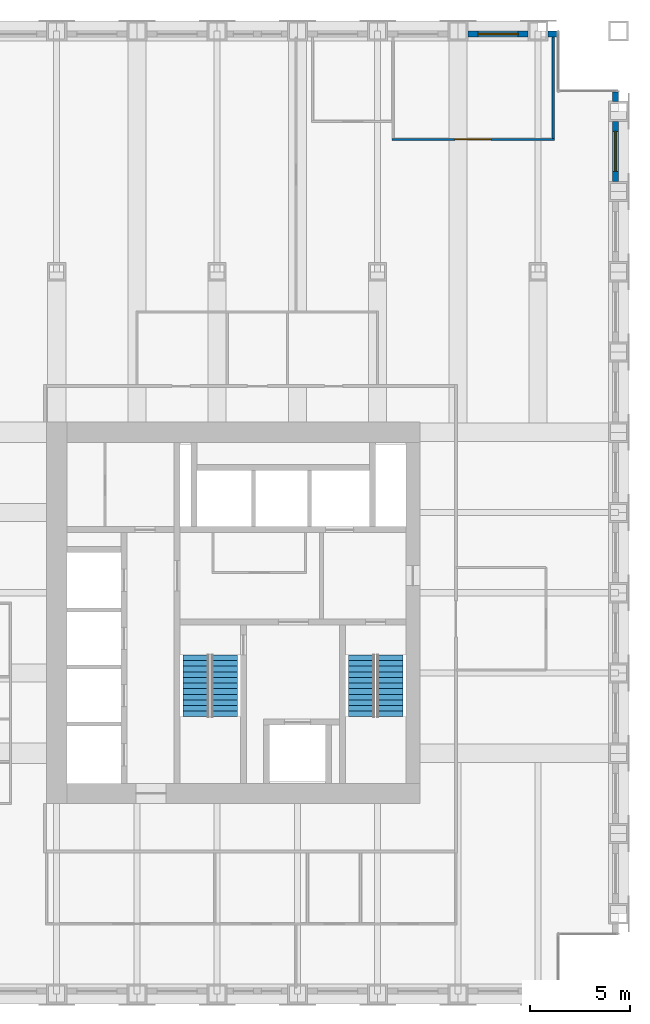
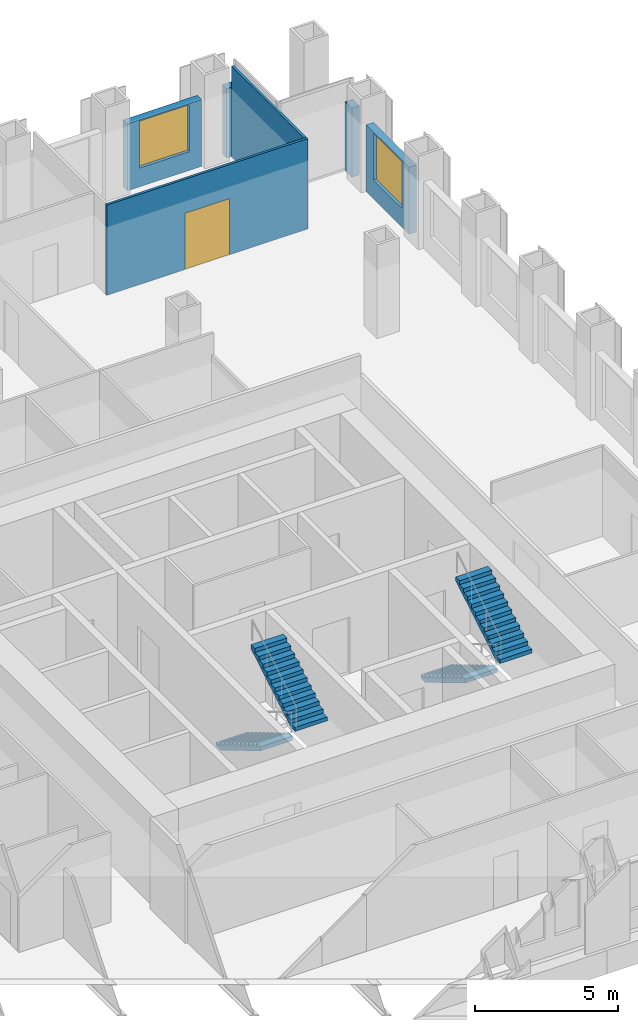
# One storey, part 12 of 13: 6 walls, 4 stair flights, 2 windows, 1 door, 3 openings, 2 elements without a shape of their own.
"""IFC4 building model written with IfcOpenShell, lengths in metres."""

from ifc_helpers import new_model, si_unit, direction, frame, frame_2d, origin, place, context, subcontext, project, spatial, polyline, rectangle, outline, extrude, material, layer, layer_set, type_object, element, fill, aggregate, save


model = new_model("IFC4")

# Units and contexts
model_context = context("Model", 3, precision=1e-05, world=origin(), true_north=direction((0.0, 1.0)))
body_context = subcontext(model_context, "Body", "Model", "MODEL_VIEW")
ifc_project = project(units=[si_unit("LENGTHUNIT", "METRE"), si_unit("AREAUNIT", "SQUARE_METRE"), si_unit("VOLUMEUNIT", "CUBIC_METRE"), si_unit("PLANEANGLEUNIT", "RADIAN"), si_unit("MASSUNIT", "GRAM", prefix="KILO")], contexts=[model_context])

# Site, building, storey
site_placement = place(None, origin())
site = spatial("IfcSite", under=ifc_project, at=site_placement, CompositionType="ELEMENT")
building_placement = place(site_placement, origin())
building = spatial("IfcBuilding", under=site, at=building_placement, Name="Rimbunsela Tower", CompositionType="ELEMENT")
storey_placement = place(building_placement, frame((0.0, 0.0, 191.800048828125)))
storey = spatial("IfcBuildingStorey", under=building, at=storey_placement, Name="L46", CompositionType="ELEMENT", Elevation=191.800048828125)

# Wall, opening, door
ifc_material_1 = material(Name="Gypsum board on steel studs", Category="steel")
ifc_layer_1 = layer(ifc_material_1, 0.10009765625)
ifc_layer_set_1 = layer_set([ifc_layer_1], Name="Office partition 100")
wall_type_1 = type_object("IfcWallType", Name="Office partition 100", PredefinedType="PARTITIONING", material=ifc_layer_set_1)
wall_1_placement = place(storey_placement, frame((34.699951171875, 50.60009765625, 0.0), z_axis=(0.0, 0.0, 1.0), x_axis=(1.0, 0.0, 0.0)))
wall_1 = element("IfcWall", 1, at=wall_1_placement, inside=storey, type_object=wall_type_1, Name="Office partition", PredefinedType="PARTITIONING", context=body_context, shape_type="SweptSolid", body=[
    extrude(rectangle(XDim=8.10009765625, YDim=0.10009765625, at=frame_2d((4.050048828125, 0.0))), origin(), (0.0, 0.0, 1.0), 3.849853515625),
])
opening_1_placement = place(wall_1_placement, frame((3.14990234375, 0.0, 0.0)))
opening_1 = element("IfcOpeningElement", 2, at=opening_1_placement, cuts=wall_1, Name="Opening D18", PredefinedType="OPENING", context=body_context, shape_type="SweptSolid", body=[
    extrude(rectangle(XDim=1.800048828125, YDim=2.39990234375, at=frame_2d((0.89990234375, 1.199951171875))), frame((0.0, 0.06005859375, 0.0), z_axis=(0.0, -1.0, 0.0), x_axis=(1.0, 0.0, 0.0)), (0.0, 0.0, 1.0), 0.1201171875),
])
ifc_material_2 = material(Name="Glazed aluminium door", Category="aluminium")
door_type = type_object("IfcDoorType", Name="Boardroom door 1800 glazed", OperationType="DOUBLE_DOOR_DOUBLE_SWING", PredefinedType="DOOR", material=ifc_material_2)
door_placement = place(opening_1_placement, origin())
door = element("IfcDoor", 3, at=door_placement, inside=storey, type_object=door_type, Name="Boardroom door", OperationType="DOUBLE_DOOR_DOUBLE_SWING", OverallHeight=2.39990234375, OverallWidth=1.800048828125, PredefinedType="DOOR", context=body_context, shape_type="SweptSolid", body=[
    extrude(rectangle(XDim=1.800048828125, YDim=2.39990234375, at=frame_2d((0.89990234375, 1.199951171875))), frame((0.0, 0.02490234375, 0.0), z_axis=(0.0, -1.0, 0.0), x_axis=(1.0, 0.0, 0.0)), (0.0, 0.0, 1.0), 0.050048828125),
])
fill(opening_1, door)

# Wall
wall_2_placement = place(storey_placement, frame((42.75, 50.64990234375, 0.0), z_axis=(0.0, 0.0, 1.0), x_axis=(0.0, 1.0, 0.0)))
element("IfcWall", 4, at=wall_2_placement, inside=storey, type_object=wall_type_1, Name="Office partition", PredefinedType="PARTITIONING", context=body_context, shape_type="SweptSolid", body=[
    extrude(rectangle(XDim=5.050048828125, YDim=0.10009765625, at=frame_2d((2.52490234375, 0.0))), origin(), (0.0, 0.0, 1.0), 3.849853515625),
])

# Wall, opening, window
ifc_material_3 = material(Name="Precast concrete fc' 35 MPa", Category="concrete")
ifc_layer_2 = layer(ifc_material_3, 0.300048828125)
ifc_layer_set_2 = layer_set([ifc_layer_2], Name="Precast concrete fc' 35 MPa")
wall_type_2 = type_object("IfcWallType", Name="Precast facade panel 300", PredefinedType="ELEMENTEDWALL", material=ifc_layer_set_2)
wall_3_placement = place(storey_placement, frame((45.85009765625, 48.5, 0.0), z_axis=(0.0, 0.0, 1.0), x_axis=(0.0, 1.0, 0.0)))
wall_3 = element("IfcWall", 5, at=wall_3_placement, inside=storey, type_object=wall_type_2, Name="Facade panel E L46", PredefinedType="ELEMENTEDWALL", context=body_context, shape_type="SweptSolid", body=[
    extrude(rectangle(XDim=3.0, YDim=0.300048828125, at=frame_2d((1.5, 0.0))), origin(), (0.0, 0.0, 1.0), 2.849853515625),
])
opening_2_placement = place(wall_3_placement, frame((0.5, 0.0, 0.800048828125)))
opening_2 = element("IfcOpeningElement", 6, at=opening_2_placement, cuts=wall_3, Name="Opening W1", PredefinedType="OPENING", context=body_context, shape_type="SweptSolid", body=[
    extrude(rectangle(XDim=2.0, YDim=2.0, at=frame_2d((1.0, 1.0))), frame((0.0, 0.159912109375, 0.0), z_axis=(0.0, -1.0, 0.0), x_axis=(1.0, 0.0, 0.0)), (0.0, 0.0, 1.0), 0.320068359375),
])
ifc_material_4 = material(Name="Clear glass in aluminium frame", Category="aluminium")
window_type = type_object("IfcWindowType", Name="Window W1 2000x2000", PartitioningType="DOUBLE_PANEL_VERTICAL", PredefinedType="WINDOW", material=ifc_material_4)
window_1_placement = place(opening_2_placement, origin())
window_1 = element("IfcWindow", 7, at=window_1_placement, inside=storey, type_object=window_type, Name="Window L46", OverallHeight=2.0, OverallWidth=2.0, PartitioningType="SINGLE_PANEL", PredefinedType="WINDOW", context=body_context, shape_type="SweptSolid", body=[
    extrude(rectangle(XDim=2.0, YDim=2.0, at=frame_2d((1.0, 1.0))), frame((0.0, 0.030029296875, 0.0), z_axis=(0.0, -1.0, 0.0), x_axis=(1.0, 0.0, 0.0)), (0.0, 0.0, 1.0), 0.06005859375),
])
fill(opening_2, window_1)

# Wall
wall_4_placement = place(storey_placement, frame((45.85009765625, 52.5, 0.0), z_axis=(0.0, 0.0, 1.0), x_axis=(0.0, 1.0, 0.0)))
element("IfcWall", 8, at=wall_4_placement, inside=storey, type_object=wall_type_2, Name="Facade panel E L46", PredefinedType="ELEMENTEDWALL", context=body_context, shape_type="SweptSolid", body=[
    extrude(rectangle(XDim=0.469970703125, YDim=0.300048828125, at=frame_2d((0.23486328125, 0.0))), origin(), (0.0, 0.0, 1.0), 2.949951171875),
])

# Wall, opening, window
wall_5_placement = place(storey_placement, frame((41.5, 55.85009765625, 0.0), z_axis=(0.0, 0.0, 1.0), x_axis=(-1.0, 0.0, 0.0)))
wall_5 = element("IfcWall", 9, at=wall_5_placement, inside=storey, type_object=wall_type_2, Name="Facade panel N L46", PredefinedType="ELEMENTEDWALL", context=body_context, shape_type="SweptSolid", body=[
    extrude(rectangle(XDim=3.0, YDim=0.300048828125, at=frame_2d((1.5, 0.0))), origin(), (0.0, 0.0, 1.0), 2.849853515625),
])
opening_3_placement = place(wall_5_placement, frame((0.5, 0.0, 0.800048828125)))
opening_3 = element("IfcOpeningElement", 10, at=opening_3_placement, cuts=wall_5, Name="Opening W1", PredefinedType="OPENING", context=body_context, shape_type="SweptSolid", body=[
    extrude(rectangle(XDim=2.0, YDim=2.0, at=frame_2d((1.0, 1.0))), frame((0.0, 0.159912109375, 0.0), z_axis=(0.0, -1.0, 0.0), x_axis=(1.0, 0.0, 0.0)), (0.0, 0.0, 1.0), 0.320068359375),
])
window_2_placement = place(opening_3_placement, origin())
window_2 = element("IfcWindow", 11, at=window_2_placement, inside=storey, type_object=window_type, Name="Window L46", OverallHeight=2.0, OverallWidth=2.0, PartitioningType="SINGLE_PANEL", PredefinedType="WINDOW", context=body_context, shape_type="SweptSolid", body=[
    extrude(rectangle(XDim=2.0, YDim=2.0, at=frame_2d((1.0, 1.0))), frame((0.0, 0.030029296875, 0.0), z_axis=(0.0, -1.0, 0.0), x_axis=(1.0, 0.0, 0.0)), (0.0, 0.0, 1.0), 0.06005859375),
])
fill(opening_3, window_2)

# Wall
wall_6_placement = place(storey_placement, frame((42.969970703125, 55.85009765625, 0.0), z_axis=(0.0, 0.0, 1.0), x_axis=(-1.0, 0.0, 0.0)))
element("IfcWall", 12, at=wall_6_placement, inside=storey, type_object=wall_type_2, Name="Facade panel N L46", PredefinedType="ELEMENTEDWALL", context=body_context, shape_type="SweptSolid", body=[
    extrude(rectangle(XDim=0.469970703125, YDim=0.300048828125, at=frame_2d((0.23486328125, 0.0))), origin(), (0.0, 0.0, 1.0), 2.949951171875),
])

# Stair, stair flights
ifc_material_5 = material(Name="Concrete fc' 35 MPa", Category="concrete")
stair_type = type_object("IfcStairType", Name="Exit stair 24 risers", PredefinedType="HALF_TURN_STAIR", material=ifc_material_5)
stair_1_placement = place(storey_placement, origin())
stair_1 = element("IfcStair", 13, at=stair_1_placement, inside=storey, type_object=stair_type, Name="Exit stair A L46", PredefinedType="HALF_TURN_STAIR")
ifc_material_6 = material(Name="Concrete fc' 35 MPa", Category="concrete")
stair_flight_type = type_object("IfcStairFlightType", Name="Stair flight 12 risers 167", PredefinedType="STRAIGHT", material=ifc_material_6)
stair_flight_1_placement = place(storey_placement, frame((24.949951171875, 24.89990234375, 0.0), z_axis=(0.0, 0.0, 1.0), x_axis=(0.0, -1.0, 0.0)))
stair_flight_1 = element("IfcStairFlight", 14, at=stair_flight_1_placement, type_object=stair_flight_type, Name="ST-A flight 1", NumberOfRisers=12, NumberOfTreads=11, PredefinedType="STRAIGHT", RiserHeight=0.166666667, TreadLength=0.28, context=body_context, shape_type="SweptSolid", body=[
    extrude(outline(polyline([(0.0, 0.0), (0.0, 0.166748046875), (0.280029296875, 0.166748046875), (0.280029296875, 0.333251953125), (0.56005859375, 0.333251953125), (0.56005859375, 0.5), (0.840087890625, 0.5), (0.840087890625, 0.666748046875), (1.1201171875, 0.666748046875), (1.1201171875, 0.833251953125), (1.39990234375, 0.833251953125), (1.39990234375, 1.0), (1.679931640625, 1.0), (1.679931640625, 1.166748046875), (1.9599609375, 1.166748046875), (1.9599609375, 1.333251953125), (2.239990234375, 1.333251953125), (2.239990234375, 1.5), (2.52001953125, 1.5), (2.52001953125, 1.666748046875), (2.800048828125, 1.666748046875), (2.800048828125, 1.833251953125), (3.080078125, 1.833251953125), (3.080078125, 2.0), (3.080078125, 1.658935546875), (0.29296875, 0.0), (0.0, 0.0)])), frame((0.0, 0.64990234375, 0.0), z_axis=(0.0, -1.0, 0.0), x_axis=(1.0, 0.0, 0.0)), (0.0, 0.0, 1.0), 1.300048828125),
])
stair_flight_2_placement = place(storey_placement, frame((26.35009765625, 21.820068359375, 2.0), z_axis=(0.0, 0.0, 1.0), x_axis=(0.0, 1.0, 0.0)))
stair_flight_2 = element("IfcStairFlight", 15, at=stair_flight_2_placement, type_object=stair_flight_type, Name="ST-A flight 2", NumberOfRisers=12, NumberOfTreads=11, PredefinedType="STRAIGHT", RiserHeight=0.166666667, TreadLength=0.28, context=body_context, shape_type="SweptSolid", body=[
    extrude(outline(polyline([(0.0, 0.0), (0.0, 0.166748046875), (0.280029296875, 0.166748046875), (0.280029296875, 0.333251953125), (0.56005859375, 0.333251953125), (0.56005859375, 0.5), (0.840087890625, 0.5), (0.840087890625, 0.666748046875), (1.1201171875, 0.666748046875), (1.1201171875, 0.833251953125), (1.39990234375, 0.833251953125), (1.39990234375, 1.0), (1.679931640625, 1.0), (1.679931640625, 1.166748046875), (1.9599609375, 1.166748046875), (1.9599609375, 1.333251953125), (2.239990234375, 1.333251953125), (2.239990234375, 1.5), (2.52001953125, 1.5), (2.52001953125, 1.666748046875), (2.800048828125, 1.666748046875), (2.800048828125, 1.833251953125), (3.080078125, 1.833251953125), (3.080078125, 2.0), (3.080078125, 1.658935546875), (0.29296875, 0.0), (0.0, 0.0)])), frame((0.0, 0.64990234375, 0.0), z_axis=(0.0, -1.0, 0.0), x_axis=(1.0, 0.0, 0.0)), (0.0, 0.0, 1.0), 1.300048828125),
])
aggregate(stair_1, [stair_flight_1, stair_flight_2])

stair_2_placement = place(storey_placement, origin())
stair_2 = element("IfcStair", 16, at=stair_2_placement, inside=storey, type_object=stair_type, Name="Exit stair B L46", PredefinedType="HALF_TURN_STAIR")
stair_flight_3_placement = place(storey_placement, frame((33.199951171875, 24.89990234375, 0.0), z_axis=(0.0, 0.0, 1.0), x_axis=(0.0, -1.0, 0.0)))
stair_flight_3 = element("IfcStairFlight", 17, at=stair_flight_3_placement, type_object=stair_flight_type, Name="ST-B flight 1", NumberOfRisers=12, NumberOfTreads=11, PredefinedType="STRAIGHT", RiserHeight=0.166666667, TreadLength=0.28, context=body_context, shape_type="SweptSolid", body=[
    extrude(outline(polyline([(0.0, 0.0), (0.0, 0.166748046875), (0.280029296875, 0.166748046875), (0.280029296875, 0.333251953125), (0.56005859375, 0.333251953125), (0.56005859375, 0.5), (0.840087890625, 0.5), (0.840087890625, 0.666748046875), (1.1201171875, 0.666748046875), (1.1201171875, 0.833251953125), (1.39990234375, 0.833251953125), (1.39990234375, 1.0), (1.679931640625, 1.0), (1.679931640625, 1.166748046875), (1.9599609375, 1.166748046875), (1.9599609375, 1.333251953125), (2.239990234375, 1.333251953125), (2.239990234375, 1.5), (2.52001953125, 1.5), (2.52001953125, 1.666748046875), (2.800048828125, 1.666748046875), (2.800048828125, 1.833251953125), (3.080078125, 1.833251953125), (3.080078125, 2.0), (3.080078125, 1.658935546875), (0.29296875, 0.0), (0.0, 0.0)])), frame((0.0, 0.64990234375, 0.0), z_axis=(0.0, -1.0, 0.0), x_axis=(1.0, 0.0, 0.0)), (0.0, 0.0, 1.0), 1.300048828125),
])
stair_flight_4_placement = place(storey_placement, frame((34.60009765625, 21.820068359375, 2.0), z_axis=(0.0, 0.0, 1.0), x_axis=(0.0, 1.0, 0.0)))
stair_flight_4 = element("IfcStairFlight", 18, at=stair_flight_4_placement, type_object=stair_flight_type, Name="ST-B flight 2", NumberOfRisers=12, NumberOfTreads=11, PredefinedType="STRAIGHT", RiserHeight=0.166666667, TreadLength=0.28, context=body_context, shape_type="SweptSolid", body=[
    extrude(outline(polyline([(0.0, 0.0), (0.0, 0.166748046875), (0.280029296875, 0.166748046875), (0.280029296875, 0.333251953125), (0.56005859375, 0.333251953125), (0.56005859375, 0.5), (0.840087890625, 0.5), (0.840087890625, 0.666748046875), (1.1201171875, 0.666748046875), (1.1201171875, 0.833251953125), (1.39990234375, 0.833251953125), (1.39990234375, 1.0), (1.679931640625, 1.0), (1.679931640625, 1.166748046875), (1.9599609375, 1.166748046875), (1.9599609375, 1.333251953125), (2.239990234375, 1.333251953125), (2.239990234375, 1.5), (2.52001953125, 1.5), (2.52001953125, 1.666748046875), (2.800048828125, 1.666748046875), (2.800048828125, 1.833251953125), (3.080078125, 1.833251953125), (3.080078125, 2.0), (3.080078125, 1.658935546875), (0.29296875, 0.0), (0.0, 0.0)])), frame((0.0, 0.64990234375, 0.0), z_axis=(0.0, -1.0, 0.0), x_axis=(1.0, 0.0, 0.0)), (0.0, 0.0, 1.0), 1.300048828125),
])
aggregate(stair_2, [stair_flight_3, stair_flight_4])

save(model, "model.ifc")
